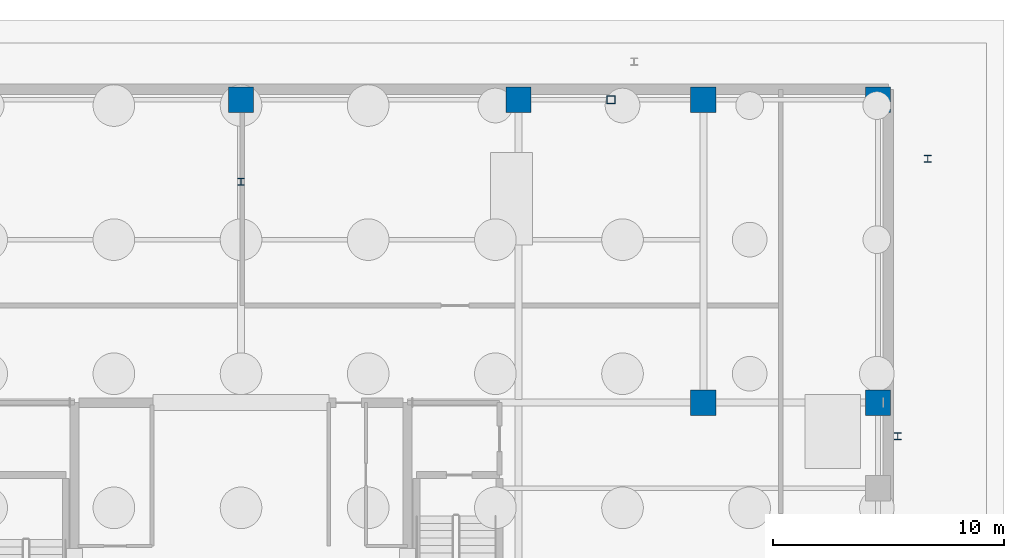
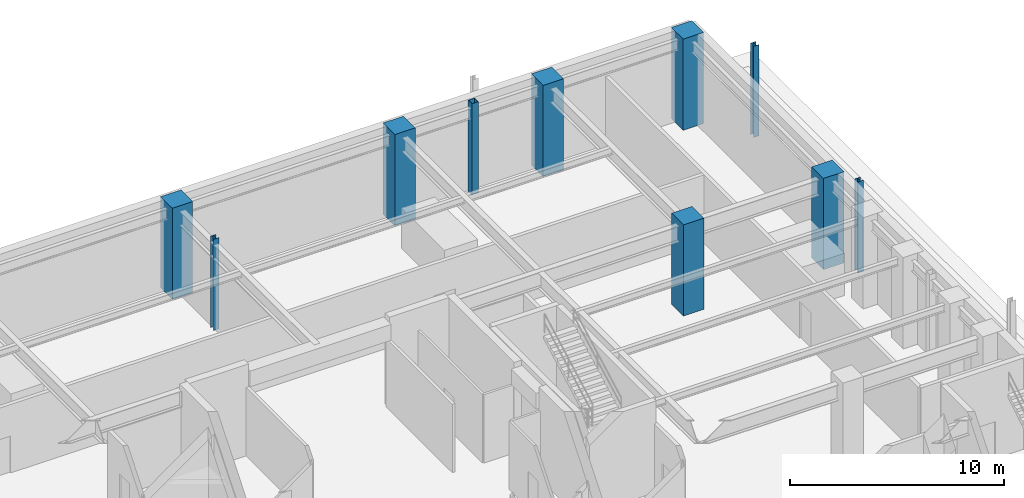
# One storey, part 6 of 18: 10 columns.
"""IFC4 building model written with IfcOpenShell, lengths in metres."""

from ifc_helpers import new_model, si_unit, direction, frame, origin, origin_2d, place, context, subcontext, project, spatial, rectangle, hollow_rectangle, i_section, extrude, material, material_profile, profile_set, type_object, element, save


model = new_model("IFC4")

# Units and contexts
model_context = context("Model", 3, precision=1e-05, world=origin(), true_north=direction((0.0, 1.0)))
body_context = subcontext(model_context, "Body", "Model", "MODEL_VIEW")
ifc_project = project(units=[si_unit("LENGTHUNIT", "METRE"), si_unit("AREAUNIT", "SQUARE_METRE"), si_unit("VOLUMEUNIT", "CUBIC_METRE"), si_unit("PLANEANGLEUNIT", "RADIAN"), si_unit("MASSUNIT", "GRAM", prefix="KILO")], contexts=[model_context])

# Site, building, storey
site_placement = place(None, origin())
site = spatial("IfcSite", under=ifc_project, at=site_placement, CompositionType="ELEMENT")
building_placement = place(site_placement, origin())
building = spatial("IfcBuilding", under=site, at=building_placement, Name="Veldorina Hangang Commons", CompositionType="ELEMENT")
storey_placement = place(building_placement, frame((0.0, 0.0, -10.39990234375)))
storey = spatial("IfcBuildingStorey", under=building, at=storey_placement, Name="B02", CompositionType="ELEMENT", Elevation=-10.39990234375)

# Columns
ifc_material_1 = material(Name="Steel SM355-TMC", Category="steel")
ifc_material_profile_1 = material_profile(ifc_material_1, i_section(OverallWidth=0.300048828125, OverallDepth=0.300048828125, WebThickness=0.010009765625, FlangeThickness=0.014892578125, FilletRadius=0.012939453125, at=origin_2d()), Name="H-300x300x10x15")
ifc_profile_set_1 = profile_set([ifc_material_profile_1], Name="Steel SM355-TMC")
column_type_1 = type_object("IfcColumnType", Name="COL-H300", PredefinedType="COLUMN", material=ifc_profile_set_1)
for number, where, z_axis, x_axis, name in (
    (1, (32.0, 41.0, 0.0), (0.0, 0.0, 1.0), (1.0, 0.0, 0.0), "B02 walkway support pier NORTH3"),
    (2, (61.699951171875, 42.0, 0.0), (0.0, 0.0, 1.0), (1.0, 0.0, 0.0), "B02 walkway support pier EAST2"),
    (3, (60.39990234375, 30.0, 0.0), (0.0, 0.0, 1.0), (1.0, 0.0, 0.0), "B02 walkway support pier EAST3"),
):
    element("IfcColumn", number, at=place(storey_placement, frame(where, z_axis=z_axis, x_axis=x_axis)), inside=storey, type_object=column_type_1, Name=name, PredefinedType="COLUMN", context=body_context, shape_type="SweptSolid", body=[
        extrude(i_section(OverallWidth=0.300048828125, OverallDepth=0.300048828125, WebThickness=0.010009765625, FlangeThickness=0.014892578125, FilletRadius=0.012939453125, at=origin_2d()), origin(), (0.0, 0.0, 1.0), 5.199951171875),
    ])
ifc_material_profile_2 = material_profile(ifc_material_1, hollow_rectangle(XDim=0.35009765625, YDim=0.35009765625, WallThickness=0.01611328125, at=origin_2d()), Name="SHS-350x350x16")
ifc_profile_set_2 = profile_set([ifc_material_profile_2], Name="Steel SM355-TMC")
column_type_2 = type_object("IfcColumnType", Name="COL-PIL-350", PredefinedType="PILASTER", material=ifc_profile_set_2)
column_placement = place(storey_placement, frame((48.0, 44.550048828125, 0.0), z_axis=(0.0, 0.0, 1.0), x_axis=(1.0, 0.0, 0.0)))
element("IfcColumn", 4, at=column_placement, inside=storey, type_object=column_type_2, Name="B02 rationalist colonnade pilaster 2", PredefinedType="PILASTER", context=body_context, shape_type="SweptSolid", body=[
    extrude(hollow_rectangle(XDim=0.35009765625, YDim=0.35009765625, WallThickness=0.01611328125, at=origin_2d()), origin(), (0.0, 0.0, 1.0), 5.199951171875),
])
ifc_material_2 = material(Name="Concrete C60/75", Category="concrete")
ifc_material_profile_3 = material_profile(ifc_material_2, rectangle(XDim=1.10009765625, YDim=1.10009765625, at=origin_2d()), Name="RC-COL-1100x1100")
ifc_profile_set_3 = profile_set([ifc_material_profile_3], Name="Concrete C60/75")
column_type_3 = type_object("IfcColumnType", Name="COL-RC1100", PredefinedType="COLUMN", material=ifc_profile_set_3)
for number, where, z_axis, x_axis, name in (
    (5, (32.0, 44.550048828125, 0.0), (0.0, 0.0, 1.0), (1.0, 0.0, 0.0), "B02 structural column N4"),
    (6, (44.0, 44.550048828125, 0.0), (0.0, 0.0, 1.0), (1.0, 0.0, 0.0), "B02 structural column N5"),
    (7, (52.0, 44.550048828125, 0.0), (0.0, 0.0, 1.0), (1.0, 0.0, 0.0), "B02 structural column N6"),
    (8, (59.550048828125, 44.550048828125, 0.0), (0.0, 0.0, 1.0), (1.0, 0.0, 0.0), "B02 structural column N7"),
    (9, (59.550048828125, 31.449951171875, 0.0), (0.0, 0.0, 1.0), (1.0, 0.0, 0.0), "B02 structural column E5"),
    (10, (52.0, 31.449951171875, 0.0), (0.0, 0.0, 1.0), (1.0, 0.0, 0.0), "B02 structural column BM4"),
):
    element("IfcColumn", number, at=place(storey_placement, frame(where, z_axis=z_axis, x_axis=x_axis)), inside=storey, type_object=column_type_3, Name=name, PredefinedType="COLUMN", context=body_context, shape_type="SweptSolid", body=[
        extrude(rectangle(XDim=1.10009765625, YDim=1.10009765625, at=origin_2d()), origin(), (0.0, 0.0, 1.0), 5.199951171875),
    ])

save(model, "model.ifc")
